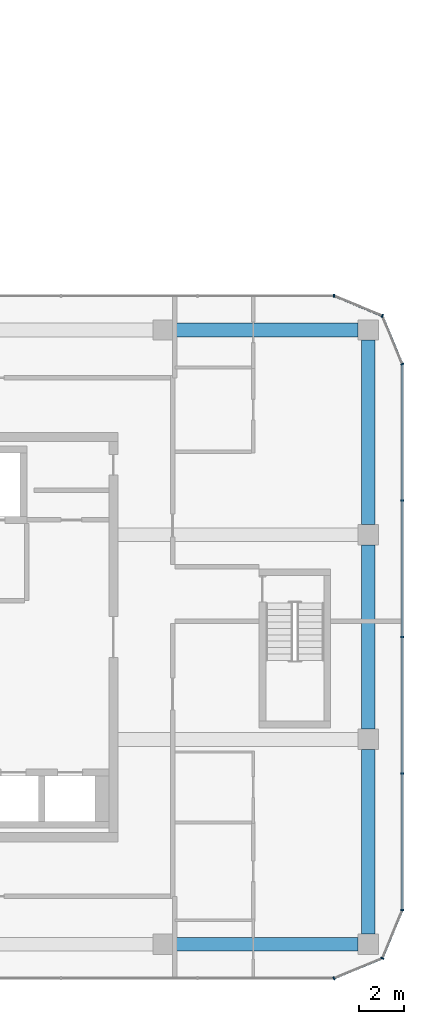
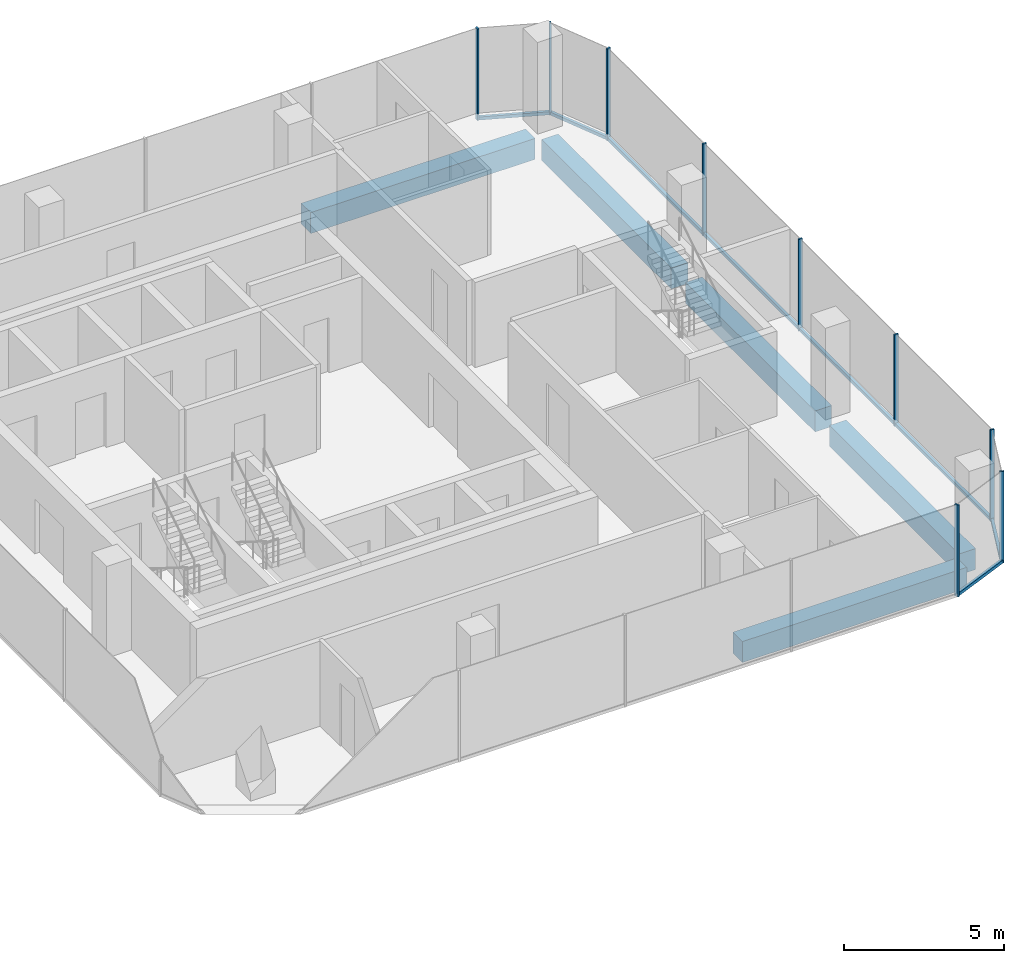
# One storey, part 10 of 22: 14 members, 5 beams, 6 elements without a shape of their own.
"""IFC4 building model written with IfcOpenShell, lengths in metres."""

from ifc_helpers import new_model, si_unit, direction, frame, origin, origin_2d, place, context, subcontext, project, spatial, rectangle, extrude, material, layer, layer_set, material_profile, profile_set, type_object, element, aggregate, save


model = new_model("IFC4")

# Units and contexts
model_context = context("Model", 3, precision=1e-05, world=origin(), true_north=direction((0.0, 1.0)))
body_context = subcontext(model_context, "Body", "Model", "MODEL_VIEW")
ifc_project = project(units=[si_unit("LENGTHUNIT", "METRE"), si_unit("AREAUNIT", "SQUARE_METRE"), si_unit("VOLUMEUNIT", "CUBIC_METRE"), si_unit("PLANEANGLEUNIT", "RADIAN"), si_unit("MASSUNIT", "GRAM", prefix="KILO")], contexts=[model_context])

# Site, building, storey
site_placement = place(None, origin())
site = spatial("IfcSite", under=ifc_project, at=site_placement, CompositionType="ELEMENT")
building_placement = place(site_placement, origin())
building = spatial("IfcBuilding", under=site, at=building_placement, Name="Plateau Cross Towers", CompositionType="ELEMENT")
storey_placement = place(building_placement, frame((0.0, 0.0, 102.800048828125)))
storey = spatial("IfcBuildingStorey", under=building, at=storey_placement, Name="L26", CompositionType="ELEMENT", Elevation=102.800048828125)

# Curtain wall, member
ifc_material_1 = material(Name="Dark low-iron glass", Category="glass")
ifc_layer = layer(ifc_material_1, 0.239990234375)
ifc_layer_set = layer_set([ifc_layer], Name="Dark low-iron glass")
curtain_wall_type = type_object("IfcCurtainWallType", Name="Curtain wall office unitised CW-F", PredefinedType="NOTDEFINED", material=ifc_layer_set)
curtain_wall_1_placement = place(storey_placement, origin())
curtain_wall_1 = element("IfcCurtainWall", 1, at=curtain_wall_1_placement, inside=storey, type_object=curtain_wall_type, Name="ENV/B/L26/B990_-60", PredefinedType="NOTDEFINED")
ifc_material_2 = material(Name="Black anodised aluminium", Category="aluminium")
ifc_material_profile_1 = material_profile(ifc_material_2, rectangle(XDim=0.06005859375, YDim=0.139892578125, at=origin_2d()), Name="MULLION 60x140")
ifc_profile_set_1 = profile_set([ifc_material_profile_1], Name="Black anodised aluminium")
member_type_1 = type_object("IfcMemberType", Name="Mullion 60x140 office unitised", PredefinedType="MULLION", material=ifc_profile_set_1)
member_1_placement = place(storey_placement, frame((99.0, -6.0, -0.25), z_axis=(0.0, 0.0, 1.0), x_axis=(0.923879457699, 0.382683612978, 0.0)))
member_1 = element("IfcMember", 2, at=member_1_placement, type_object=member_type_1, Name="CW-F mullion 1", PredefinedType="MULLION", context=body_context, shape_type="SweptSolid", body=[
    extrude(rectangle(XDim=0.06005859375, YDim=0.139892578125, at=origin_2d()), origin(), (0.0, 0.0, 1.0), 3.5),
])

curtain_wall_2_placement = place(storey_placement, origin())
curtain_wall_2 = element("IfcCurtainWall", 3, at=curtain_wall_2_placement, inside=storey, type_object=curtain_wall_type, Name="ENV/B/L26/B1011_-51", PredefinedType="NOTDEFINED")
member_2_placement = place(storey_placement, frame((101.121337890625, -5.121337890625, -0.25), z_axis=(0.0, 0.0, 1.0), x_axis=(0.382683612978, 0.923879457699, 0.0)))
member_2 = element("IfcMember", 4, at=member_2_placement, type_object=member_type_1, Name="CW-F mullion 1", PredefinedType="MULLION", context=body_context, shape_type="SweptSolid", body=[
    extrude(rectangle(XDim=0.06005859375, YDim=0.139892578125, at=origin_2d()), origin(), (0.0, 0.0, 1.0), 3.5),
])

# Curtain wall, members
curtain_wall_3_placement = place(storey_placement, origin())
curtain_wall_3 = element("IfcCurtainWall", 5, at=curtain_wall_3_placement, inside=storey, type_object=curtain_wall_type, Name="ENV/B/L26/B1020_-30", PredefinedType="NOTDEFINED")
member_3_placement = place(storey_placement, frame((102.0, -3.0, -0.25), z_axis=(0.0, 0.0, 1.0), x_axis=(0.0, 1.0, 0.0)))
member_3 = element("IfcMember", 6, at=member_3_placement, type_object=member_type_1, Name="CW-F mullion 1", PredefinedType="MULLION", context=body_context, shape_type="SweptSolid", body=[
    extrude(rectangle(XDim=0.06005859375, YDim=0.139892578125, at=origin_2d()), origin(), (0.0, 0.0, 1.0), 3.5),
])
member_4_placement = place(storey_placement, frame((102.0, 3.0, -0.25), z_axis=(0.0, 0.0, 1.0), x_axis=(0.0, 1.0, 0.0)))
member_4 = element("IfcMember", 7, at=member_4_placement, type_object=member_type_1, Name="CW-F mullion 2", PredefinedType="MULLION", context=body_context, shape_type="SweptSolid", body=[
    extrude(rectangle(XDim=0.06005859375, YDim=0.139892578125, at=origin_2d()), origin(), (0.0, 0.0, 1.0), 3.5),
])
member_5_placement = place(storey_placement, frame((102.0, 9.0, -0.25), z_axis=(0.0, 0.0, 1.0), x_axis=(0.0, 1.0, 0.0)))
member_5 = element("IfcMember", 8, at=member_5_placement, type_object=member_type_1, Name="CW-F mullion 3", PredefinedType="MULLION", context=body_context, shape_type="SweptSolid", body=[
    extrude(rectangle(XDim=0.06005859375, YDim=0.139892578125, at=origin_2d()), origin(), (0.0, 0.0, 1.0), 3.5),
])
member_6_placement = place(storey_placement, frame((102.0, 15.0, -0.25), z_axis=(0.0, 0.0, 1.0), x_axis=(0.0, 1.0, 0.0)))
member_6 = element("IfcMember", 9, at=member_6_placement, type_object=member_type_1, Name="CW-F mullion 4", PredefinedType="MULLION", context=body_context, shape_type="SweptSolid", body=[
    extrude(rectangle(XDim=0.06005859375, YDim=0.139892578125, at=origin_2d()), origin(), (0.0, 0.0, 1.0), 3.5),
])

# Curtain wall, member
curtain_wall_4_placement = place(storey_placement, origin())
curtain_wall_4 = element("IfcCurtainWall", 10, at=curtain_wall_4_placement, inside=storey, type_object=curtain_wall_type, Name="ENV/B/L26/B1020_210", PredefinedType="NOTDEFINED")
member_7_placement = place(storey_placement, frame((102.0, 21.0, -0.25), z_axis=(0.0, 0.0, 1.0), x_axis=(-0.382683612978, 0.923879457699, 0.0)))
member_7 = element("IfcMember", 11, at=member_7_placement, type_object=member_type_1, Name="CW-F mullion 1", PredefinedType="MULLION", context=body_context, shape_type="SweptSolid", body=[
    extrude(rectangle(XDim=0.06005859375, YDim=0.139892578125, at=origin_2d()), origin(), (0.0, 0.0, 1.0), 3.5),
])

curtain_wall_5_placement = place(storey_placement, origin())
curtain_wall_5 = element("IfcCurtainWall", 12, at=curtain_wall_5_placement, inside=storey, type_object=curtain_wall_type, Name="ENV/B/L26/B1011_231", PredefinedType="NOTDEFINED")
member_8_placement = place(storey_placement, frame((101.121337890625, 23.121337890625, -0.25), z_axis=(0.0, 0.0, 1.0), x_axis=(-0.923879457699, 0.382683612978, 0.0)))
member_8 = element("IfcMember", 13, at=member_8_placement, type_object=member_type_1, Name="CW-F mullion 1", PredefinedType="MULLION", context=body_context, shape_type="SweptSolid", body=[
    extrude(rectangle(XDim=0.06005859375, YDim=0.139892578125, at=origin_2d()), origin(), (0.0, 0.0, 1.0), 3.5),
])

curtain_wall_6_placement = place(storey_placement, origin())
curtain_wall_6 = element("IfcCurtainWall", 14, at=curtain_wall_6_placement, inside=storey, type_object=curtain_wall_type, Name="ENV/B/L26/B990_240", PredefinedType="NOTDEFINED")
member_9_placement = place(storey_placement, frame((99.0, 24.0, -0.25), z_axis=(0.0, 0.0, 1.0), x_axis=(-1.0, 0.0, 0.0)))
member_9 = element("IfcMember", 15, at=member_9_placement, type_object=member_type_1, Name="CW-F mullion 1", PredefinedType="MULLION", context=body_context, shape_type="SweptSolid", body=[
    extrude(rectangle(XDim=0.06005859375, YDim=0.139892578125, at=origin_2d()), origin(), (0.0, 0.0, 1.0), 3.5),
])
aggregate(curtain_wall_6, [member_9])

# Beams
ifc_material_3 = material(Name="Concrete C60/75", Category="concrete")
ifc_material_profile_2 = material_profile(ifc_material_3, rectangle(XDim=0.60009765625, YDim=0.800048828125, at=origin_2d()), Name="RC 600x800")
ifc_profile_set_2 = profile_set([ifc_material_profile_2], Name="Concrete C60/75")
beam_type = type_object("IfcBeamType", Name="Ring beam RC 600x800", PredefinedType="BEAM", material=ifc_profile_set_2)
for number, where, z_axis, x_axis, name in (
    (16, (91.949951171875, -4.5, -0.650146484375), (1.0, 0.0, 0.0), (0.0, 1.0, 0.0), "B-RB02@L26"),
    (17, (100.5, -4.050048828125, -0.650146484375), (0.0, 1.0, 0.0), (-1.0, 0.0, 0.0), "B-RB03@L26"),
    (18, (100.5, 4.949951171875, -0.650146484375), (0.0, 1.0, 0.0), (-1.0, 0.0, 0.0), "B-RB04@L26"),
    (19, (100.5, 13.949951171875, -0.650146484375), (0.0, 1.0, 0.0), (-1.0, 0.0, 0.0), "B-RB05@L26"),
    (20, (100.050048828125, 22.5, -0.650146484375), (-1.0, 0.0, 0.0), (0.0, -1.0, 0.0), "B-RB06@L26"),
):
    element("IfcBeam", number, at=place(storey_placement, frame(where, z_axis=z_axis, x_axis=x_axis)), inside=storey, type_object=beam_type, Name=name, PredefinedType="BEAM", context=body_context, shape_type="SweptSolid", body=[
        extrude(rectangle(XDim=0.60009765625, YDim=0.800048828125, at=origin_2d()), origin(), (0.0, 0.0, 1.0), 8.10009765625),
    ])

# Member
ifc_material_profile_3 = material_profile(ifc_material_2, rectangle(XDim=0.10009765625, YDim=0.1201171875, at=origin_2d()), Name="TRANSOM 100x120")
ifc_profile_set_3 = profile_set([ifc_material_profile_3], Name="Black anodised aluminium")
member_type_2 = type_object("IfcMemberType", Name="Transom 100x120 office unitised", PredefinedType="USERDEFINED", material=ifc_profile_set_3)
member_10_placement = place(storey_placement, frame((99.0, -6.0, -0.18994140625), z_axis=(0.923883353507, 0.382674207535, 0.0), x_axis=(-0.382674207535, 0.923883353507, 0.0)))
member_10 = element("IfcMember", 21, at=member_10_placement, type_object=member_type_2, Name="CW-F transom", ObjectType="TRANSOM", PredefinedType="USERDEFINED", context=body_context, shape_type="SweptSolid", body=[
    extrude(rectangle(XDim=0.10009765625, YDim=0.1201171875, at=origin_2d()), origin(), (0.0, 0.0, 1.0), 2.296142578125),
])

aggregate(curtain_wall_1, [member_1, member_10])

member_11_placement = place(storey_placement, frame((101.121337890625, -5.121337890625, -0.18994140625), z_axis=(0.382674207535, 0.923883353507, 0.0), x_axis=(-0.923883353507, 0.382674207535, 0.0)))
member_11 = element("IfcMember", 22, at=member_11_placement, type_object=member_type_2, Name="CW-F transom", ObjectType="TRANSOM", PredefinedType="USERDEFINED", context=body_context, shape_type="SweptSolid", body=[
    extrude(rectangle(XDim=0.10009765625, YDim=0.1201171875, at=origin_2d()), origin(), (0.0, 0.0, 1.0), 2.296142578125),
])

aggregate(curtain_wall_2, [member_2, member_11])

member_12_placement = place(storey_placement, frame((102.0, -3.0, -0.18994140625), z_axis=(0.0, 1.0, 0.0), x_axis=(-1.0, 0.0, 0.0)))
member_12 = element("IfcMember", 23, at=member_12_placement, type_object=member_type_2, Name="CW-F transom", ObjectType="TRANSOM", PredefinedType="USERDEFINED", context=body_context, shape_type="SweptSolid", body=[
    extrude(rectangle(XDim=0.10009765625, YDim=0.1201171875, at=origin_2d()), origin(), (0.0, 0.0, 1.0), 24.0),
])

aggregate(curtain_wall_3, [member_3, member_4, member_5, member_6, member_12])

member_13_placement = place(storey_placement, frame((102.0, 21.0, -0.18994140625), z_axis=(-0.382674207535, 0.923883353507, 0.0), x_axis=(-0.923883353507, -0.382674207535, 0.0)))
member_13 = element("IfcMember", 24, at=member_13_placement, type_object=member_type_2, Name="CW-F transom", ObjectType="TRANSOM", PredefinedType="USERDEFINED", context=body_context, shape_type="SweptSolid", body=[
    extrude(rectangle(XDim=0.10009765625, YDim=0.1201171875, at=origin_2d()), origin(), (0.0, 0.0, 1.0), 2.296142578125),
])

aggregate(curtain_wall_4, [member_7, member_13])

member_14_placement = place(storey_placement, frame((101.121337890625, 23.121337890625, -0.18994140625), z_axis=(-0.923883353507, 0.382674207535, 0.0), x_axis=(-0.382674207535, -0.923883353507, 0.0)))
member_14 = element("IfcMember", 25, at=member_14_placement, type_object=member_type_2, Name="CW-F transom", ObjectType="TRANSOM", PredefinedType="USERDEFINED", context=body_context, shape_type="SweptSolid", body=[
    extrude(rectangle(XDim=0.10009765625, YDim=0.1201171875, at=origin_2d()), origin(), (0.0, 0.0, 1.0), 2.296142578125),
])

aggregate(curtain_wall_5, [member_8, member_14])

save(model, "model.ifc")
